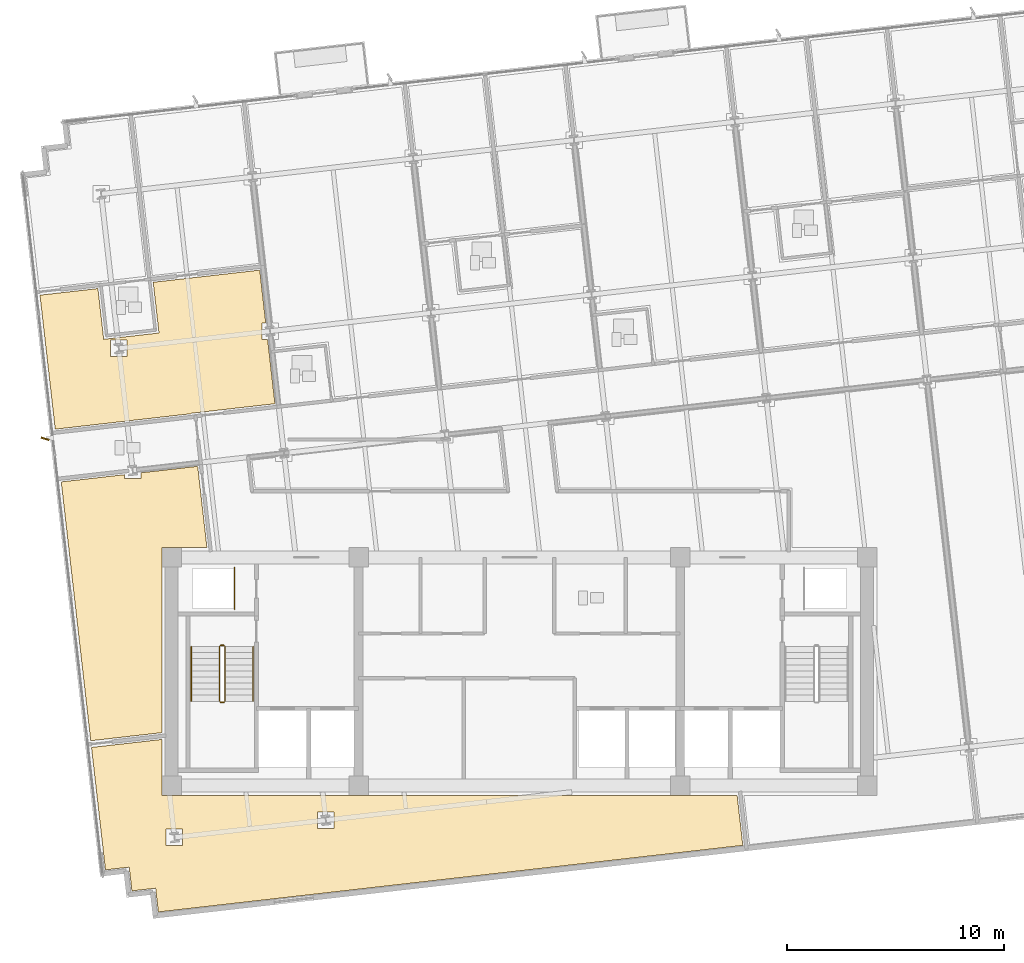
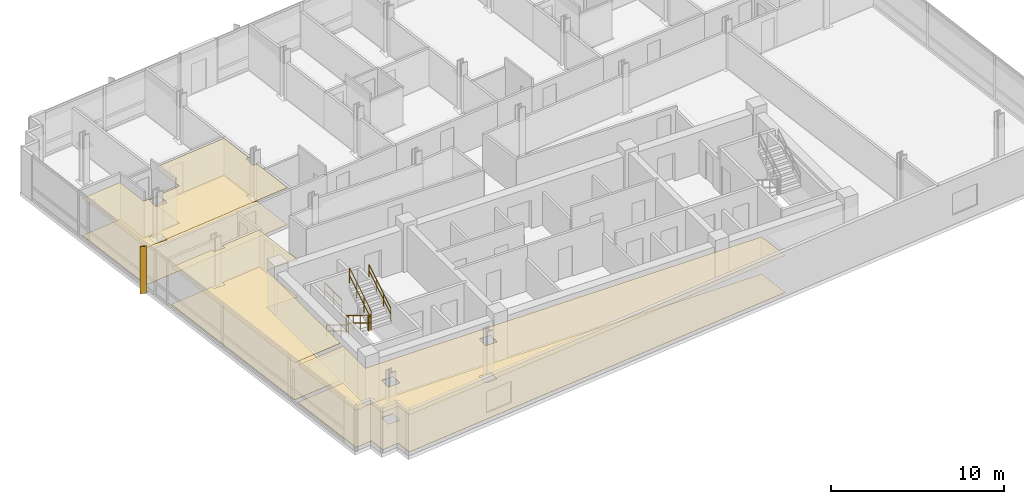
# One storey, part 13 of 17: 7 railings, 6 coverings, 1 shading device.
"""IFC4 building model written with IfcOpenShell, lengths in metres."""

import ifcopenshell
import ifcopenshell.guid

model = None  # the IFC model being written
_history = None  # IfcOwnerHistory: only IFC2X3 demands one
_inside = {}  # id of a spatial element -> (the spatial element, [elements in it])
_under = {}  # id of a project, library or spatial element -> (it, [spatial elements below it])
_declared = {}  # id of a project -> (the project, [libraries it declares])
_typed = {}  # id of a type object -> (the type object, [elements of that type])
_made_of = {}  # id of a material, layer set ... -> (it, [elements and type objects made of it])


def new_model(schema):
    """Start an empty IFC model of exactly this schema.

    Asked for "IFC4X3", IfcOpenShell would pick the latest addendum, in which some entities
    have other attributes; the version numbers below select the first issue.
    IFC2X3 requires an IfcOwnerHistory on every rooted entity: one is made here for all.
    """
    global model, _history
    if schema == "IFC4X3":
        model = ifcopenshell.file(schema_version=(4, 3, 0, 0))
    else:
        model = ifcopenshell.file(schema=schema)
    _inside.clear()
    _under.clear()
    _declared.clear()
    _typed.clear()
    _made_of.clear()
    _history = None
    if model.schema == "IFC2X3":
        org = make("IfcOrganization", Name="unknown")
        user = make(
            "IfcPersonAndOrganization",
            ThePerson=make("IfcPerson", FamilyName="unknown"),
            TheOrganization=org,
        )
        app = make(
            "IfcApplication",
            ApplicationDeveloper=org,
            Version="unknown",
            ApplicationFullName="unknown",
            ApplicationIdentifier="unknown",
        )
        _history = make(
            "IfcOwnerHistory",
            OwningUser=user,
            OwningApplication=app,
            ChangeAction="ADDED",
            CreationDate=0,
        )
    return model


def make(cls, **values):
    """One entity of the class cls with the attributes given. An attribute that is None is left unset."""
    return model.create_entity(
        cls, **{name: value for name, value in values.items() if value is not None}
    )


def rooted(cls, **values):
    """An entity with a GlobalId (a new one), such as an element, a storey or a relation."""
    return make(cls, GlobalId=ifcopenshell.guid.new(), OwnerHistory=_history, **values)


def si_unit(unit_type, name, prefix=None):
    """IfcSIUnit, for example si_unit("LENGTHUNIT", "METRE", prefix="MILLI")."""
    return make("IfcSIUnit", UnitType=unit_type, Prefix=prefix, Name=name)


def assignment(units):
    """IfcUnitAssignment: the units of a project."""
    return None if units is None else make("IfcUnitAssignment", Units=units)


def point(xyz):
    """IfcCartesianPoint."""
    return None if xyz is None else make("IfcCartesianPoint", Coordinates=xyz)


def direction(xyz):
    """IfcDirection."""
    return None if xyz is None else make("IfcDirection", DirectionRatios=xyz)


def frame(location, z_axis=None, x_axis=None):
    """IfcAxis2Placement3D, a coordinate frame: its origin and axes. An axis left out is left unset."""
    return make(
        "IfcAxis2Placement3D",
        Location=point(location),
        Axis=direction(z_axis),
        RefDirection=direction(x_axis),
    )


def frame_2d(location, x_axis=None):
    """IfcAxis2Placement2D, a coordinate frame in the plane: its origin and x axis."""
    return make(
        "IfcAxis2Placement2D", Location=point(location), RefDirection=direction(x_axis)
    )


def origin():
    """The frame at (0, 0, 0) with its axes left unset."""
    return frame((0.0, 0.0, 0.0))


def origin_2d():
    """The frame at (0, 0) in the plane with its x axis left unset."""
    return frame_2d((0.0, 0.0))


def place(relative_to, where):
    """IfcLocalPlacement: puts the frame where relative to a parent placement (None: the world)."""
    return make(
        "IfcLocalPlacement", PlacementRelTo=relative_to, RelativePlacement=where
    )


def context(
    kind, dimensions, precision=None, world=None, true_north=None, identifier=None
):
    """IfcGeometricRepresentationContext, for example the 3D "Model" context."""
    return make(
        "IfcGeometricRepresentationContext",
        ContextIdentifier=identifier,
        ContextType=kind,
        CoordinateSpaceDimension=dimensions,
        Precision=precision,
        WorldCoordinateSystem=world,
        TrueNorth=true_north,
    )


def subcontext(parent, identifier, kind, view, scale=None):
    """IfcGeometricRepresentationSubContext, for example "Body" below "Model"."""
    return make(
        "IfcGeometricRepresentationSubContext",
        ContextIdentifier=identifier,
        ContextType=kind,
        ParentContext=parent,
        TargetScale=scale,
        TargetView=view,
    )


def project(units=None, contexts=None):
    """IfcProject with its units and contexts."""
    return rooted(
        "IfcProject",
        Name="project",
        RepresentationContexts=contexts,
        UnitsInContext=assignment(units),
    )


def spatial(cls, under=None, at=None, **own):
    """A site, building, storey or space (cls), placed at a placement, below another one or the project."""
    s = rooted(cls, ObjectPlacement=at, **own)
    if under is not None:
        _under.setdefault(under.id(), (under, []))[1].append(s)
    return s


def polyline(points):
    """IfcPolyline through the points."""
    return make("IfcPolyline", Points=[point(p) for p in points])


def profile(cls, at=None, kind="AREA", **sizes):
    """A parametric profile (cls). Its sizes go by their IFC names, for example OverallWidth=200.0."""
    return make(cls, ProfileType=kind, Position=at, **sizes)


def rectangle(**sizes):
    """IfcRectangleProfileDef."""
    return profile("IfcRectangleProfileDef", **sizes)


def circle(**sizes):
    """IfcCircleProfileDef."""
    return profile("IfcCircleProfileDef", **sizes)


def outline(outer, holes=None, kind="AREA"):
    """IfcArbitraryClosedProfileDef: a profile drawn as a closed curve; with holes, ...WithVoids."""
    if holes is None:
        return make("IfcArbitraryClosedProfileDef", ProfileType=kind, OuterCurve=outer)
    return make(
        "IfcArbitraryProfileDefWithVoids",
        ProfileType=kind,
        OuterCurve=outer,
        InnerCurves=holes,
    )


def extrude(swept, where, along, depth):
    """IfcExtrudedAreaSolid: the profile swept, set in the frame where, extruded along a direction by depth."""
    return make(
        "IfcExtrudedAreaSolid",
        SweptArea=swept,
        Position=where,
        ExtrudedDirection=direction(along),
        Depth=depth,
    )


def shape(context_of_items, identifier, shape_type, items):
    """IfcShapeRepresentation: the items that make up one representation, for example the "Body"."""
    return make(
        "IfcShapeRepresentation",
        ContextOfItems=context_of_items,
        RepresentationIdentifier=identifier,
        RepresentationType=shape_type,
        Items=items,
    )


def material(Name=None, Category=None):
    """IfcMaterial."""
    return make("IfcMaterial", Name=Name, Category=Category)


def layer(
    of_material, thickness, ventilated=None, Name=None, Category=None, Priority=None
):
    """IfcMaterialLayer: one layer of a wall or slab, of a material (None: an air gap)."""
    return make(
        "IfcMaterialLayer",
        Material=of_material,
        LayerThickness=thickness,
        IsVentilated=ventilated,
        Name=Name,
        Category=Category,
        Priority=Priority,
    )


def layer_set(layers, Name=None):
    """IfcMaterialLayerSet."""
    return make("IfcMaterialLayerSet", MaterialLayers=layers, LayerSetName=Name)


def made_of(thing, what):
    """Note that an element or type object is made of a material, layer set ...; save() writes the relation."""
    if what is not None:
        _made_of.setdefault(what.id(), (what, []))[1].append(thing)
    return thing


def type_object(cls, material=None, **own):
    """A type object (cls), such as IfcWallType, which elements share."""
    return made_of(rooted(cls, **own), material)


def element(
    cls,
    number,
    at=None,
    inside=None,
    cuts=None,
    type_object=None,
    material=None,
    context=None,
    identifier="Body",
    shape_type=None,
    held_by="IfcProductDefinitionShape",
    body=None,
    shapes=None,
    **own,
):
    """One element of the class cls, such as IfcWall. Its Tag is "e" and its number.

    at: its placement. inside: the storey or other place that contains it. cuts: it is an
    opening in that element (IfcRelVoidsElement). A single representation is given by context,
    identifier, shape_type and body (its items); several are given by shapes. held_by: the class
    of the entity that holds the representations. save() writes the other relations.
    """
    e = rooted(cls, Tag="e%d" % number, ObjectPlacement=at, **own)
    if body is not None:
        shapes = [shape(context, identifier, shape_type, body)]
    if shapes is not None:
        e.Representation = make(held_by, Representations=shapes)
    if inside is not None:
        _inside.setdefault(inside.id(), (inside, []))[1].append(e)
    if cuts is not None:
        rooted(
            "IfcRelVoidsElement", RelatingBuildingElement=cuts, RelatedOpeningElement=e
        )
    if type_object is not None:
        _typed.setdefault(type_object.id(), (type_object, []))[1].append(e)
    return made_of(e, material)


def aggregate(whole, parts):
    """IfcRelAggregates: a whole, such as a stair, and the parts it consists of."""
    return rooted("IfcRelAggregates", RelatingObject=whole, RelatedObjects=parts)


def save(model, path):
    """Write the relations noted so far, then the file.

    IfcRelAggregates (storeys below a building ...), IfcRelContainedInSpatialStructure (elements
    in a storey), IfcRelDefinesByType, IfcRelAssociatesMaterial and IfcRelDeclares: one each for
    every whole, place, type object, material and project.
    """
    for whole, parts in _under.values():
        aggregate(whole, parts)
    for where, things in _inside.values():
        rooted(
            "IfcRelContainedInSpatialStructure",
            RelatedElements=things,
            RelatingStructure=where,
        )
    for kind, things in _typed.values():
        rooted("IfcRelDefinesByType", RelatedObjects=things, RelatingType=kind)
    for what, things in _made_of.values():
        rooted("IfcRelAssociatesMaterial", RelatedObjects=things, RelatingMaterial=what)
    for by, libraries in _declared.values():
        rooted("IfcRelDeclares", RelatingContext=by, RelatedDefinitions=libraries)
    model.write(path)


model = new_model("IFC4")

# Units and contexts
model_context = context("Model", 3, precision=1e-05, world=origin(), true_north=direction((0.0, 1.0)))
body_context = subcontext(model_context, "Body", "Model", "MODEL_VIEW")
ifc_project = project(units=[si_unit("LENGTHUNIT", "METRE"), si_unit("AREAUNIT", "SQUARE_METRE"), si_unit("VOLUMEUNIT", "CUBIC_METRE"), si_unit("PLANEANGLEUNIT", "RADIAN"), si_unit("MASSUNIT", "GRAM", prefix="KILO")], contexts=[model_context])

# Site, building, storey
site_placement = place(None, origin())
site = spatial("IfcSite", under=ifc_project, at=site_placement, CompositionType="ELEMENT")
building_placement = place(site_placement, origin())
building = spatial("IfcBuilding", under=site, at=building_placement, Name="Solmavex Isthmus Hotel", CompositionType="ELEMENT")
storey_placement = place(building_placement, frame((0.0, 0.0, 198.60009765625)))
storey = spatial("IfcBuildingStorey", under=building, at=storey_placement, Name="L53", CompositionType="ELEMENT", Elevation=198.60009765625)

# Coverings
ifc_material_1 = material(Name="Gypsum plasterboard lining", Category="gypsum")
ifc_layer_1 = layer(ifc_material_1, 0.030029296875)
ifc_layer_set_1 = layer_set([ifc_layer_1], Name="Gypsum plasterboard lining")
covering_type_1 = type_object("IfcCoveringType", Name="COV-CEIL-GYP", PredefinedType="CEILING", material=ifc_layer_set_1)
covering_1_placement = place(storey_placement, frame((0.0, 0.0, 2.619873046875)))
element("IfcCovering", 1, at=covering_1_placement, inside=storey, type_object=covering_type_1, Name="Suspended Acoustic Ceiling L53-SH01-LV", PredefinedType="CEILING", context=body_context, shape_type="SweptSolid", body=[
    extrude(outline(polyline([(-15.079833984375, 4.11669921875), (-15.08203125, 4.136474609375), (-11.2490234375, 4.5732421875), (-11.586181640625, 7.532470703125), (-11.853271484375, 7.532470703125), (-11.853271484375, 8.29248046875), (-11.672607421875, 8.29248046875), (-11.949462890625, 10.721435546875), (-16.851806640625, 10.1630859375), (-16.585693359375, 7.828125), (-19.129150390625, 7.538330078125), (-19.395263671875, 9.873291015625), (-22.06201171875, 9.5693359375), (-21.359130859375, 3.4013671875), (-15.079833984375, 4.11669921875)]), holes=[polyline([(-18.81640625, 6.739013671875), (-18.81640625, 7.4990234375), (-18.056396484375, 7.4990234375), (-18.056396484375, 6.739013671875), (-18.81640625, 6.739013671875)])]), origin(), (0.0, 0.0, 1.0), 0.030029296875),
])
covering_2_placement = place(storey_placement, frame((0.0, 0.0, 2.619873046875)))
element("IfcCovering", 2, at=covering_2_placement, inside=storey, type_object=covering_type_1, Name="Suspended Acoustic Ceiling L53-FL10", PredefinedType="CEILING", context=body_context, shape_type="SweptSolid", body=[
    extrude(outline(polyline([(-17.4169921875, 1.39453125), (-17.4169921875, 1.12744140625), (-18.177001953125, 1.12744140625), (-18.177001953125, 1.30810546875), (-21.0830078125, 0.97705078125), (-20.41015625, -4.929931640625), (-19.725830078125, -10.93603515625), (-16.455078125, -10.563232421875), (-16.455078125, -2.044921875), (-14.3779296875, -2.044921875), (-14.8037109375, 1.6923828125), (-17.4169921875, 1.39453125)])), origin(), (0.0, 0.0, 1.0), 0.030029296875),
])
covering_3_placement = place(storey_placement, frame((0.0, 0.0, 2.619873046875)))
element("IfcCovering", 3, at=covering_3_placement, inside=storey, type_object=covering_type_1, Name="Suspended Acoustic Ceiling L53-FL11", PredefinedType="CEILING", context=body_context, shape_type="SweptSolid", body=[
    extrude(outline(polyline([(-8.533203125, -17.8935546875), (10.2822265625, -15.75), (10.245361328125, -15.427001953125), (10.020751953125, -13.455078125), (-16.455078125, -13.455078125), (-16.455078125, -10.875244140625), (-19.690673828125, -11.243896484375), (-19.14208984375, -16.057861328125), (-19.048828125, -16.87744140625), (-17.955810546875, -16.7529296875), (-17.831298828125, -17.845947265625), (-16.73828125, -17.721435546875), (-16.61376953125, -18.814453125), (-15.794189453125, -18.720947265625), (-8.533203125, -17.8935546875)]), holes=[polyline([(-9.28955078125, -14.969970703125), (-9.28955078125, -14.2099609375), (-8.529541015625, -14.2099609375), (-8.529541015625, -14.969970703125), (-9.28955078125, -14.969970703125)]), polyline([(-16.25244140625, -15.763427734375), (-16.25244140625, -15.00341796875), (-15.492431640625, -15.00341796875), (-15.492431640625, -15.763427734375), (-16.25244140625, -15.763427734375)])]), origin(), (0.0, 0.0, 1.0), 0.030029296875),
])
ifc_material_2 = material(Name="Travertine natural stone", Category="masonry")
ifc_layer_2 = layer(ifc_material_2, 0.02490234375)
ifc_layer_set_2 = layer_set([ifc_layer_2], Name="Travertine natural stone")
covering_type_2 = type_object("IfcCoveringType", Name="COV-FLOR-STN", PredefinedType="FLOORING", material=ifc_layer_set_2)
covering_4_placement = place(storey_placement, origin())
element("IfcCovering", 4, at=covering_4_placement, inside=storey, type_object=covering_type_2, Name="Stone and Timber Floor Finish L53-SH01-LV", PredefinedType="FLOORING", context=body_context, shape_type="SweptSolid", body=[
    extrude(outline(polyline([(-15.079833984375, 4.11669921875), (-15.08203125, 4.136474609375), (-11.2490234375, 4.5732421875), (-11.586181640625, 7.532470703125), (-11.853271484375, 7.532470703125), (-11.853271484375, 8.29248046875), (-11.672607421875, 8.29248046875), (-11.949462890625, 10.721435546875), (-16.851806640625, 10.1630859375), (-16.585693359375, 7.828125), (-19.129150390625, 7.538330078125), (-19.395263671875, 9.873291015625), (-22.06201171875, 9.5693359375), (-21.359130859375, 3.4013671875), (-15.079833984375, 4.11669921875)]), holes=[polyline([(-18.81640625, 6.739013671875), (-18.81640625, 7.4990234375), (-18.056396484375, 7.4990234375), (-18.056396484375, 6.739013671875), (-18.81640625, 6.739013671875)])]), origin(), (0.0, 0.0, 1.0), 0.02490234375),
])
covering_5_placement = place(storey_placement, origin())
element("IfcCovering", 5, at=covering_5_placement, inside=storey, type_object=covering_type_2, Name="Stone and Timber Floor Finish L53-FL10", PredefinedType="FLOORING", context=body_context, shape_type="SweptSolid", body=[
    extrude(outline(polyline([(-17.4169921875, 1.39453125), (-17.4169921875, 1.12744140625), (-18.177001953125, 1.12744140625), (-18.177001953125, 1.30810546875), (-21.0830078125, 0.97705078125), (-20.41015625, -4.929931640625), (-19.725830078125, -10.93603515625), (-16.455078125, -10.563232421875), (-16.455078125, -2.044921875), (-14.3779296875, -2.044921875), (-14.8037109375, 1.6923828125), (-17.4169921875, 1.39453125)])), origin(), (0.0, 0.0, 1.0), 0.02490234375),
])
covering_6_placement = place(storey_placement, origin())
element("IfcCovering", 6, at=covering_6_placement, inside=storey, type_object=covering_type_2, Name="Stone and Timber Floor Finish L53-FL11", PredefinedType="FLOORING", context=body_context, shape_type="SweptSolid", body=[
    extrude(outline(polyline([(-8.533203125, -17.8935546875), (10.2822265625, -15.75), (10.245361328125, -15.427001953125), (10.020751953125, -13.455078125), (-16.455078125, -13.455078125), (-16.455078125, -10.875244140625), (-19.690673828125, -11.243896484375), (-19.14208984375, -16.057861328125), (-19.048828125, -16.87744140625), (-17.955810546875, -16.7529296875), (-17.831298828125, -17.845947265625), (-16.73828125, -17.721435546875), (-16.61376953125, -18.814453125), (-15.794189453125, -18.720947265625), (-8.533203125, -17.8935546875)]), holes=[polyline([(-9.28955078125, -14.969970703125), (-9.28955078125, -14.2099609375), (-8.529541015625, -14.2099609375), (-8.529541015625, -14.969970703125), (-9.28955078125, -14.969970703125)]), polyline([(-16.25244140625, -15.763427734375), (-16.25244140625, -15.00341796875), (-15.492431640625, -15.00341796875), (-15.492431640625, -15.763427734375), (-16.25244140625, -15.763427734375)])]), origin(), (0.0, 0.0, 1.0), 0.02490234375),
])

# Railings
ifc_material_3 = material(Name="Clear low-E laminated glass", Category="glass")
ifc_layer_3 = layer(ifc_material_3, 0.080078125)
ifc_layer_set_3 = layer_set([ifc_layer_3], Name="Clear low-E laminated glass")
railing_type_1 = type_object("IfcRailingType", Name="RAIL-ATRIUM-1120", PredefinedType="BALUSTRADE", material=ifc_layer_set_3)
railing_1_placement = place(storey_placement, frame((-13.10009765625, -4.89990234375, 0.0)))
element("IfcRailing", 7, at=railing_1_placement, inside=storey, type_object=railing_type_1, Name="Guardrail Balustrade L53-RSW-01", PredefinedType="BALUSTRADE", context=body_context, shape_type="SweptSolid", body=[
    extrude(circle(Radius=0.02392578125, at=origin_2d()), frame((0.0, 0.0, 1.1259765625), z_axis=(0.0, 1.0, 0.0), x_axis=(-1.0, 0.0, 0.0)), (0.0, 0.0, 1.0), 1.949951171875),
    extrude(circle(Radius=0.02392578125, at=origin_2d()), frame((0.0, 0.0, 0.574951171875), z_axis=(0.0, 1.0, 0.0), x_axis=(-1.0, 0.0, 0.0)), (0.0, 0.0, 1.0), 1.949951171875),
    extrude(circle(Radius=0.02099609375, at=origin_2d()), origin(), (0.0, 0.0, 1.0), 1.101806640625),
    extrude(circle(Radius=0.02099609375, at=origin_2d()), frame((0.0, 0.97509765625, 0.0)), (0.0, 0.0, 1.0), 1.101806640625),
    extrude(circle(Radius=0.02099609375, at=origin_2d()), frame((0.0, 1.949951171875, 0.0)), (0.0, 0.0, 1.0), 1.101806640625),
])
ifc_material_4 = material(Name="Stainless steel 316", Category="steel")
ifc_layer_4 = layer(ifc_material_4, 0.06005859375)
ifc_layer_set_4 = layer_set([ifc_layer_4], Name="Stainless steel 316")
railing_type_2 = type_object("IfcRailingType", Name="RAIL-STAIR-GD", PredefinedType="GUARDRAIL", material=ifc_layer_set_4)
railing_2_placement = place(storey_placement, frame((-13.800048828125, -6.60009765625, 0.17236328125)))
element("IfcRailing", 8, at=railing_2_placement, inside=storey, type_object=railing_type_2, Name="L53 ST-1 stair guard 1", PredefinedType="GUARDRAIL", context=body_context, shape_type="SweptSolid", body=[
    extrude(circle(Radius=0.02392578125, at=origin_2d()), frame((0.0, 0.0, 1.09619140625), z_axis=(0.0, -0.851400495292, 0.524516154772), x_axis=(1.0, 0.0, 0.0)), (0.0, 0.0, 1.0), 2.9599609375),
    extrude(circle(Radius=0.02392578125, at=origin_2d()), frame((0.0, 0.0, 0.56005859375), z_axis=(0.0, -0.851400495292, 0.524516154772), x_axis=(1.0, 0.0, 0.0)), (0.0, 0.0, 1.0), 2.9599609375),
    extrude(circle(Radius=0.02099609375, at=origin_2d()), origin(), (0.0, 0.0, 1.0), 1.072021484375),
    extrude(circle(Radius=0.02099609375, at=origin_2d()), frame((0.0, -0.840087890625, 0.517578125)), (0.0, 0.0, 1.0), 1.072021484375),
    extrude(circle(Radius=0.02099609375, at=origin_2d()), frame((0.0, -1.679931640625, 1.034912109375)), (0.0, 0.0, 1.0), 1.072021484375),
    extrude(circle(Radius=0.02099609375, at=origin_2d()), frame((0.0, -2.52001953125, 1.552490234375)), (0.0, 0.0, 1.0), 1.072021484375),
])
railing_3_placement = place(storey_placement, frame((-13.75, -9.169921875, 1.724853515625)))
element("IfcRailing", 9, at=railing_3_placement, inside=storey, type_object=railing_type_2, Name="L53 ST-1 stair guard 2", PredefinedType="GUARDRAIL", context=body_context, shape_type="SweptSolid", body=[
    extrude(circle(Radius=0.02392578125, at=origin_2d()), frame((0.0, 0.0, 1.09619140625), z_axis=(1.0, 0.0, 0.0), x_axis=(0.0, 1.0, 0.0)), (0.0, 0.0, 1.0), 0.14990234375),
    extrude(circle(Radius=0.02392578125, at=origin_2d()), frame((0.0, 0.0, 0.56005859375), z_axis=(1.0, 0.0, 0.0), x_axis=(0.0, 1.0, 0.0)), (0.0, 0.0, 1.0), 0.14990234375),
    extrude(circle(Radius=0.02099609375, at=origin_2d()), origin(), (0.0, 0.0, 1.0), 1.072021484375),
    extrude(circle(Radius=0.02099609375, at=origin_2d()), frame((0.14990234375, 0.0, 0.0)), (0.0, 0.0, 1.0), 1.072021484375),
])
railing_4_placement = place(storey_placement, frame((-13.550048828125, -9.1201171875, 1.8974609375)))
element("IfcRailing", 10, at=railing_4_placement, inside=storey, type_object=railing_type_2, Name="L53 ST-1 stair guard 3", PredefinedType="GUARDRAIL", context=body_context, shape_type="SweptSolid", body=[
    extrude(circle(Radius=0.02392578125, at=origin_2d()), frame((0.0, 0.0, 1.09619140625), z_axis=(0.0, 0.851400495292, 0.524516154772), x_axis=(-1.0, 0.0, 0.0)), (0.0, 0.0, 1.0), 2.9599609375),
    extrude(circle(Radius=0.02392578125, at=origin_2d()), frame((0.0, 0.0, 0.56005859375), z_axis=(0.0, 0.851400495292, 0.524516154772), x_axis=(-1.0, 0.0, 0.0)), (0.0, 0.0, 1.0), 2.9599609375),
    extrude(circle(Radius=0.02099609375, at=origin_2d()), origin(), (0.0, 0.0, 1.0), 1.072021484375),
    extrude(circle(Radius=0.02099609375, at=origin_2d()), frame((0.0, 0.840087890625, 0.517578125)), (0.0, 0.0, 1.0), 1.072021484375),
    extrude(circle(Radius=0.02099609375, at=origin_2d()), frame((0.0, 1.679931640625, 1.034912109375)), (0.0, 0.0, 1.0), 1.072021484375),
    extrude(circle(Radius=0.02099609375, at=origin_2d()), frame((0.0, 2.52001953125, 1.552490234375)), (0.0, 0.0, 1.0), 1.072021484375),
])
railing_5_placement = place(storey_placement, frame((-13.75, -6.550048828125, 0.0)))
element("IfcRailing", 11, at=railing_5_placement, inside=storey, type_object=railing_type_2, Name="L53 ST-1 stair guard 4", PredefinedType="GUARDRAIL", context=body_context, shape_type="SweptSolid", body=[
    extrude(circle(Radius=0.02392578125, at=origin_2d()), frame((0.0, 0.0, 1.09619140625), z_axis=(1.0, 0.0, 0.0), x_axis=(0.0, 1.0, 0.0)), (0.0, 0.0, 1.0), 0.14990234375),
    extrude(circle(Radius=0.02392578125, at=origin_2d()), frame((0.0, 0.0, 0.56005859375), z_axis=(1.0, 0.0, 0.0), x_axis=(0.0, 1.0, 0.0)), (0.0, 0.0, 1.0), 0.14990234375),
    extrude(circle(Radius=0.02099609375, at=origin_2d()), origin(), (0.0, 0.0, 1.0), 1.072021484375),
    extrude(circle(Radius=0.02099609375, at=origin_2d()), frame((0.14990234375, 0.0, 0.0)), (0.0, 0.0, 1.0), 1.072021484375),
])
ifc_layer_5 = layer(ifc_material_4, 0.050048828125)
ifc_layer_set_5 = layer_set([ifc_layer_5], Name="Stainless steel 316")
railing_type_3 = type_object("IfcRailingType", Name="RAIL-STAIR-HR", PredefinedType="HANDRAIL", material=ifc_layer_set_5)
railing_6_placement = place(storey_placement, frame((-15.10009765625, -6.60009765625, 0.17236328125)))
element("IfcRailing", 12, at=railing_6_placement, inside=storey, type_object=railing_type_3, Name="L53 ST-1 stair handrail 1", PredefinedType="HANDRAIL", context=body_context, shape_type="SweptSolid", body=[
    extrude(circle(Radius=0.02392578125, at=origin_2d()), frame((0.0, 0.0, 0.8759765625), z_axis=(0.0, -0.851400495292, 0.524516154772), x_axis=(1.0, 0.0, 0.0)), (0.0, 0.0, 1.0), 2.9599609375),
    extrude(circle(Radius=0.02392578125, at=origin_2d()), frame((0.0, 0.0, 0.449951171875), z_axis=(0.0, -0.851400495292, 0.524516154772), x_axis=(1.0, 0.0, 0.0)), (0.0, 0.0, 1.0), 2.9599609375),
    extrude(circle(Radius=0.02099609375, at=origin_2d()), origin(), (0.0, 0.0, 1.0), 0.851806640625),
    extrude(circle(Radius=0.02099609375, at=origin_2d()), frame((0.0, -0.840087890625, 0.517578125)), (0.0, 0.0, 1.0), 0.851806640625),
    extrude(circle(Radius=0.02099609375, at=origin_2d()), frame((0.0, -1.679931640625, 1.034912109375)), (0.0, 0.0, 1.0), 0.851806640625),
    extrude(circle(Radius=0.02099609375, at=origin_2d()), frame((0.0, -2.52001953125, 1.552490234375)), (0.0, 0.0, 1.0), 0.851806640625),
])
railing_7_placement = place(storey_placement, frame((-12.25, -9.1201171875, 1.8974609375)))
element("IfcRailing", 13, at=railing_7_placement, inside=storey, type_object=railing_type_3, Name="L53 ST-1 stair handrail 2", PredefinedType="HANDRAIL", context=body_context, shape_type="SweptSolid", body=[
    extrude(circle(Radius=0.02392578125, at=origin_2d()), frame((0.0, 0.0, 0.8759765625), z_axis=(0.0, 0.851400495292, 0.524516154772), x_axis=(-1.0, 0.0, 0.0)), (0.0, 0.0, 1.0), 2.9599609375),
    extrude(circle(Radius=0.02392578125, at=origin_2d()), frame((0.0, 0.0, 0.449951171875), z_axis=(0.0, 0.851400495292, 0.524516154772), x_axis=(-1.0, 0.0, 0.0)), (0.0, 0.0, 1.0), 2.9599609375),
    extrude(circle(Radius=0.02099609375, at=origin_2d()), origin(), (0.0, 0.0, 1.0), 0.851806640625),
    extrude(circle(Radius=0.02099609375, at=origin_2d()), frame((0.0, 0.840087890625, 0.517578125)), (0.0, 0.0, 1.0), 0.851806640625),
    extrude(circle(Radius=0.02099609375, at=origin_2d()), frame((0.0, 1.679931640625, 1.034912109375)), (0.0, 0.0, 1.0), 0.851806640625),
    extrude(circle(Radius=0.02099609375, at=origin_2d()), frame((0.0, 2.52001953125, 1.552490234375)), (0.0, 0.0, 1.0), 0.851806640625),
])

# Shading device
ifc_material_5 = material(Name="Aluminium alloy 6063-T6", Category="aluminium")
shading_device_type = type_object("IfcShadingDeviceType", Name="SHD-FIN-CHAMP", PredefinedType="USERDEFINED", material=ifc_material_5)
shading_device_placement = place(storey_placement, frame((-21.827392578125, 2.96044921875, -0.14013671875), z_axis=(0.0, 0.0, 1.0), x_axis=(-0.953716950748, 0.300705799504, 0.0)))
element("IfcShadingDevice", 14, at=shading_device_placement, inside=storey, type_object=shading_device_type, Name="Anodised Aluminium Solar Fin L53-W1", ObjectType="SOLAR_FIN", PredefinedType="USERDEFINED", context=body_context, shape_type="SweptSolid", body=[
    extrude(rectangle(XDim=0.3798828125, YDim=0.070068359375, at=origin_2d()), origin(), (0.0, 0.0, 1.0), 3.330078125),
])

save(model, "model.ifc")
